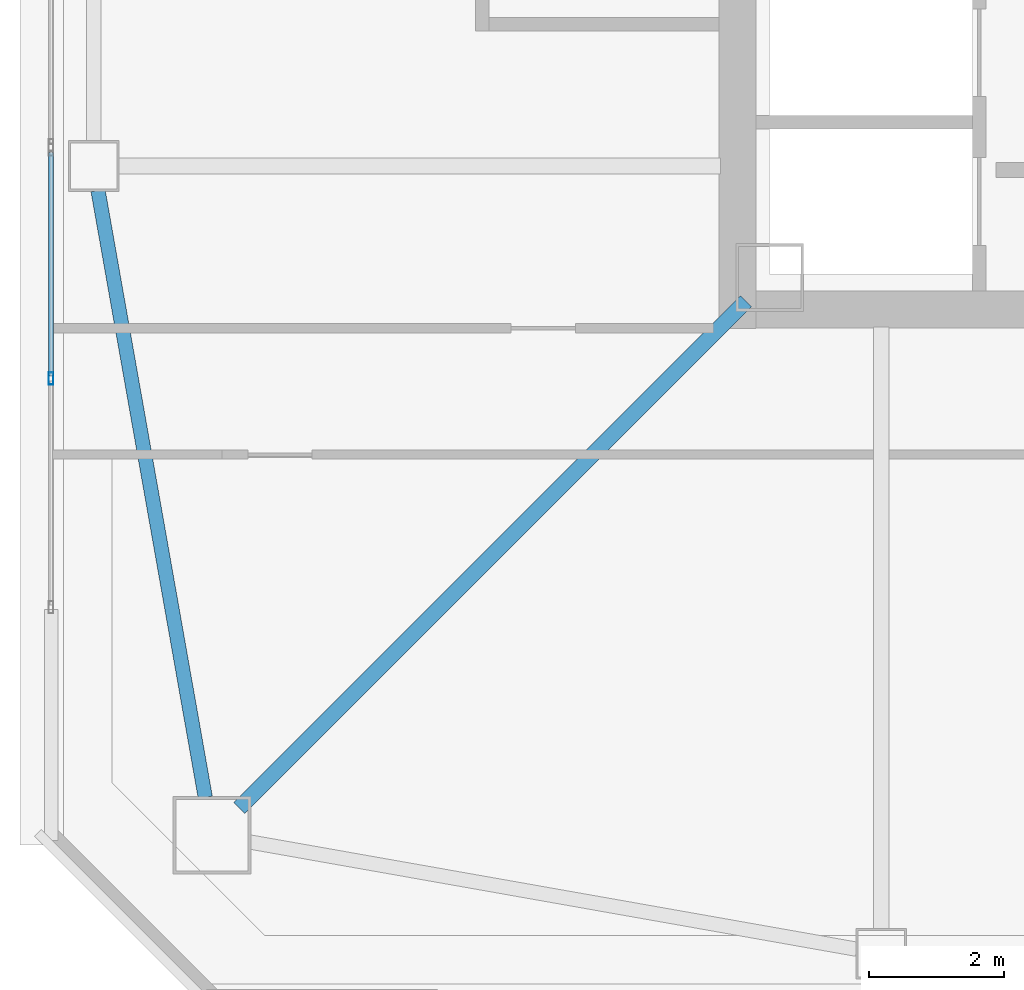
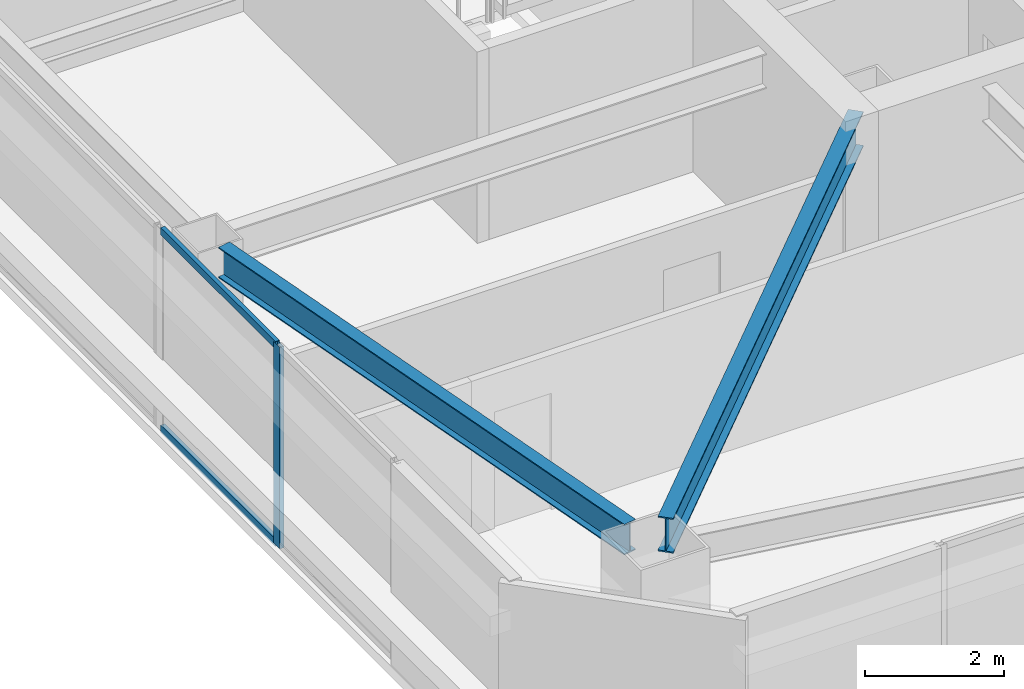
# One storey, part 4 of 43: 3 members, 2 beams, 1 element without a shape of its own.
"""IFC4 building model written with IfcOpenShell, lengths in metres."""

from ifc_helpers import new_model, si_unit, direction, frame, origin, origin_2d, place, context, subcontext, project, spatial, hollow_rectangle, i_section, extrude, material, material_profile, profile_set, type_object, element, aggregate, save


model = new_model("IFC4")

# Units and contexts
model_context = context("Model", 3, precision=1e-05, world=origin(), true_north=direction((0.0, 1.0)))
body_context = subcontext(model_context, "Body", "Model", "MODEL_VIEW")
ifc_project = project(units=[si_unit("LENGTHUNIT", "METRE"), si_unit("AREAUNIT", "SQUARE_METRE"), si_unit("VOLUMEUNIT", "CUBIC_METRE"), si_unit("PLANEANGLEUNIT", "RADIAN"), si_unit("MASSUNIT", "GRAM", prefix="KILO")], contexts=[model_context])

# Site, building, storey
site_placement = place(None, origin())
site = spatial("IfcSite", under=ifc_project, at=site_placement, CompositionType="ELEMENT")
building_placement = place(site_placement, origin())
building = spatial("IfcBuilding", under=site, at=building_placement, Name="Tashvorn Skyway Center", CompositionType="ELEMENT")
storey_placement = place(building_placement, frame((0.0, 0.0, 160.550048828125)))
storey = spatial("IfcBuildingStorey", under=building, at=storey_placement, Name="L43", CompositionType="ELEMENT", Elevation=160.550048828125)

# Beams
ifc_material_1 = material(Name="Steel ASTM A992 Grade 50", Category="steel")
ifc_material_profile_1 = material_profile(ifc_material_1, i_section(OverallWidth=0.22998046875, OverallDepth=0.616943359375, WebThickness=0.01318359375, FlangeThickness=0.022216796875, at=origin_2d()), Name="W24X94")
ifc_profile_set_1 = profile_set([ifc_material_profile_1], Name="Steel ASTM A992 Grade 50")
beam_type_1 = type_object("IfcBeamType", Name="BM-BEAM-W24X94", PredefinedType="BEAM", material=ifc_profile_set_1)
beam_1_placement = place(storey_placement, frame((27.10302734375, 17.10302734375, 3.0615234375), z_axis=(0.707106781187, 0.707106781187, 0.0), x_axis=(-0.707106781187, 0.707106781187, 0.0)))
element("IfcBeam", 1, at=beam_1_placement, inside=storey, type_object=beam_type_1, Name="Tower 1 L43 Primary Floor Girder MC-SW", PredefinedType="BEAM", context=body_context, shape_type="SweptSolid", body=[
    extrude(i_section(OverallWidth=0.22998046875, OverallDepth=0.616943359375, WebThickness=0.01318359375, FlangeThickness=0.022216796875, at=origin_2d()), origin(), (0.0, 0.0, 1.0), 10.6025390625),
])
ifc_material_profile_2 = material_profile(ifc_material_1, i_section(OverallWidth=0.2109375, OverallDepth=0.5390625, WebThickness=0.01171875, FlangeThickness=0.018798828125, at=origin_2d()), Name="W21X73")
ifc_profile_set_2 = profile_set([ifc_material_profile_2], Name="Steel ASTM A992 Grade 50")
beam_type_2 = type_object("IfcBeamType", Name="BM-SPANDREL-W21X73", PredefinedType="SPANDREL", material=ifc_profile_set_2)
beam_2_placement = place(storey_placement, frame((25.014404296875, 26.235595703125, 3.100341796875), z_axis=(0.174074160933, -0.984732545667, 0.0), x_axis=(0.984732545667, 0.174074160933, 0.0)))
element("IfcBeam", 2, at=beam_2_placement, inside=storey, type_object=beam_type_2, Name="Tower 1 L43 Spandrel Beam 12", PredefinedType="SPANDREL", context=body_context, shape_type="SweptSolid", body=[
    extrude(i_section(OverallWidth=0.2109375, OverallDepth=0.5390625, WebThickness=0.01171875, FlangeThickness=0.018798828125, at=origin_2d()), origin(), (0.0, 0.0, 1.0), 9.113525390625),
])

# Curtain wall, members
ifc_material_2 = material(Name="Thermally broken bronze-anodized aluminium 6063-T6", Category="aluminium")
curtain_wall_type = type_object("IfcCurtainWallType", Name="CW-CW-Z4", PredefinedType="NOTDEFINED", material=ifc_material_2)
curtain_wall_placement = place(storey_placement, origin())
curtain_wall = element("IfcCurtainWall", 3, at=curtain_wall_placement, inside=storey, type_object=curtain_wall_type, Name="Tower 1 L43 West Unitised Curtain Wall Glazing Group 1", PredefinedType="NOTDEFINED")
ifc_material_profile_3 = material_profile(ifc_material_2, hollow_rectangle(XDim=0.070068359375, YDim=0.179931640625, WallThickness=0.00390625, at=origin_2d()), Name="ALU-MULL-70x180")
ifc_profile_set_3 = profile_set([ifc_material_profile_3], Name="Thermally broken bronze-anodized aluminium 6063-T6")
member_type_1 = type_object("IfcMemberType", Name="CWM-CW-Z4", PredefinedType="MULLION", material=ifc_profile_set_3)
member_1_placement = place(storey_placement, frame((24.320068359375, 23.45556640625, 0.0), z_axis=(0.0, 0.0, 1.0), x_axis=(-1.0, 0.0, 0.0)))
member_1 = element("IfcMember", 4, at=member_1_placement, type_object=member_type_1, Name="CW-Z4 mullion 2", PredefinedType="MULLION", context=body_context, shape_type="SweptSolid", body=[
    extrude(hollow_rectangle(XDim=0.070068359375, YDim=0.179931640625, WallThickness=0.00390625, at=origin_2d()), origin(), (0.0, 0.0, 1.0), 3.550048828125),
])
ifc_material_profile_4 = material_profile(ifc_material_2, hollow_rectangle(XDim=0.070068359375, YDim=0.1298828125, WallThickness=0.00390625, at=origin_2d()), Name="ALU-TRAN-70x130")
ifc_profile_set_4 = profile_set([ifc_material_profile_4], Name="Thermally broken bronze-anodized aluminium 6063-T6")
member_type_2 = type_object("IfcMemberType", Name="CWT-CW-Z4", PredefinedType="USERDEFINED", material=ifc_profile_set_4)
member_2_placement = place(storey_placement, frame((24.320068359375, 23.490478515625, 0.034912109375), z_axis=(0.0, 1.0, 0.0), x_axis=(-1.0, 0.0, 0.0)))
member_2 = element("IfcMember", 5, at=member_2_placement, type_object=member_type_2, Name="CW-Z4 transom 2.1", ObjectType="TRANSOM", PredefinedType="USERDEFINED", context=body_context, shape_type="SweptSolid", body=[
    extrude(hollow_rectangle(XDim=0.070068359375, YDim=0.1298828125, WallThickness=0.00390625, at=origin_2d()), origin(), (0.0, 0.0, 1.0), 3.312744140625),
])
member_3_placement = place(storey_placement, frame((24.320068359375, 23.490478515625, 3.514892578125), z_axis=(0.0, 1.0, 0.0), x_axis=(-1.0, 0.0, 0.0)))
member_3 = element("IfcMember", 6, at=member_3_placement, type_object=member_type_2, Name="CW-Z4 transom 2.2", ObjectType="TRANSOM", PredefinedType="USERDEFINED", context=body_context, shape_type="SweptSolid", body=[
    extrude(hollow_rectangle(XDim=0.070068359375, YDim=0.1298828125, WallThickness=0.00390625, at=origin_2d()), origin(), (0.0, 0.0, 1.0), 3.312744140625),
])
aggregate(curtain_wall, [member_1, member_2, member_3])

save(model, "model.ifc")
